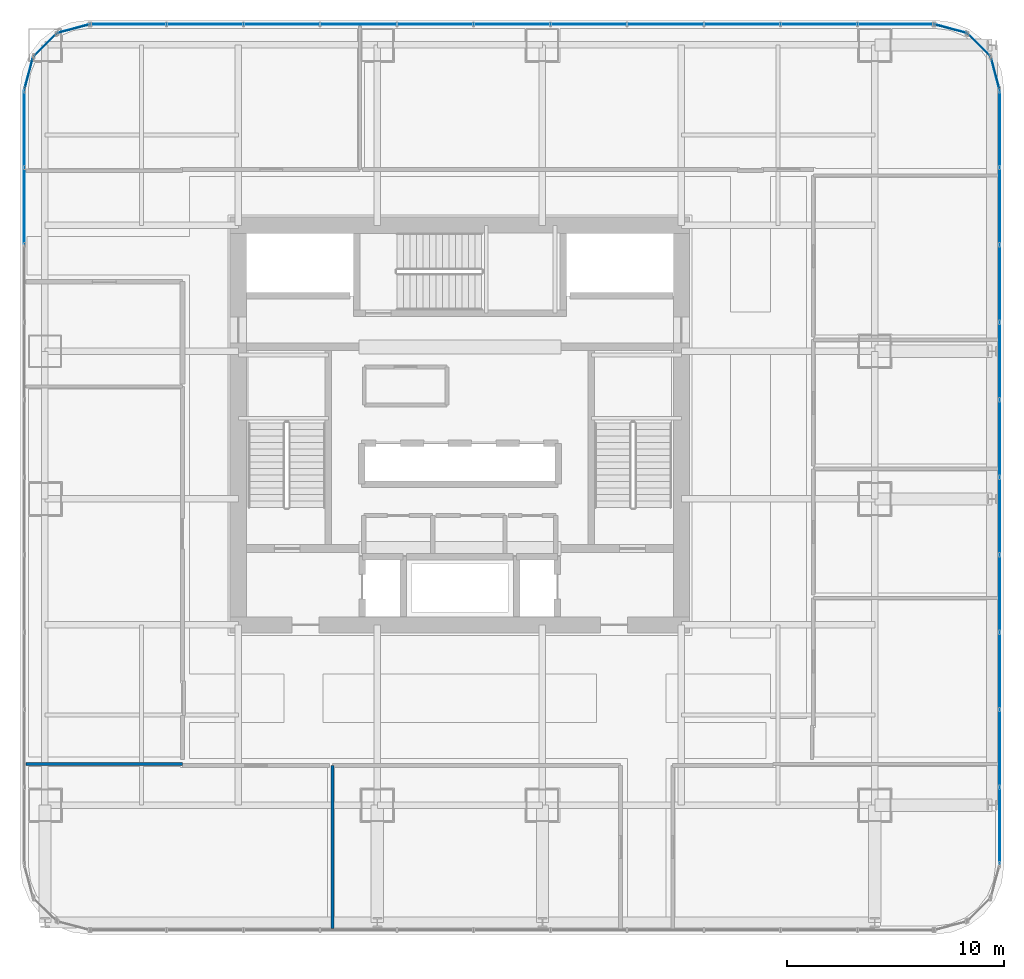
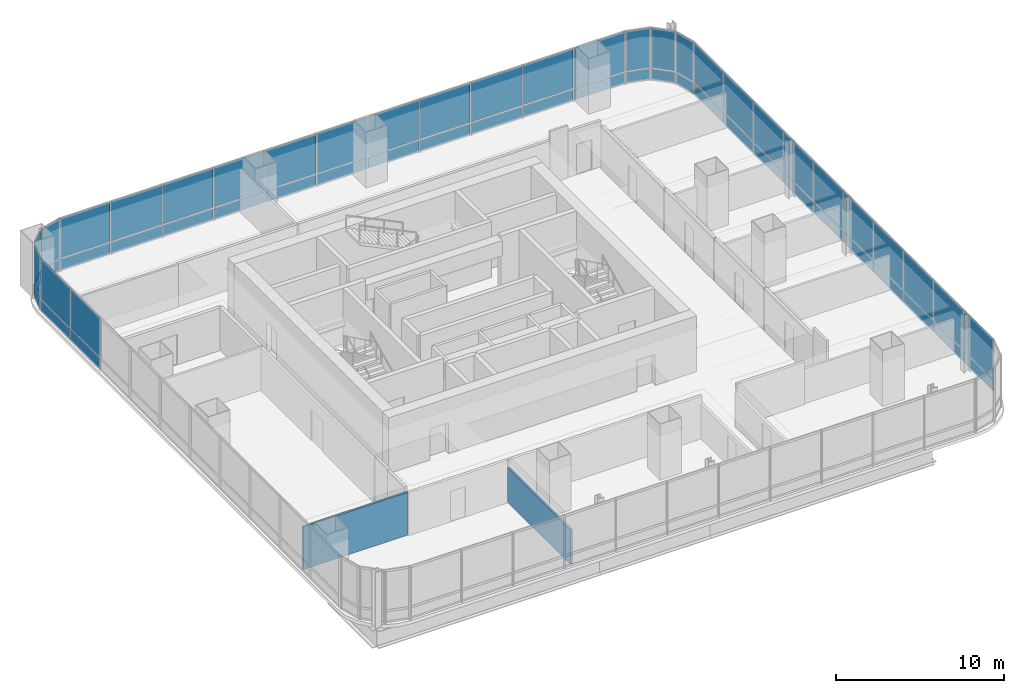
# One storey, part 26 of 34: 58 plates, 2 walls, 9 elements without a shape of their own.
"""IFC4 building model written with IfcOpenShell, lengths in metres."""

from ifc_helpers import new_model, si_unit, direction, frame, frame_2d, origin, origin_2d, place, context, subcontext, project, spatial, rectangle, extrude, material, layer, layer_set, type_object, element, aggregate, save


model = new_model("IFC4")

# Units and contexts
model_context = context("Model", 3, precision=1e-05, world=origin(), true_north=direction((0.0, 1.0)))
body_context = subcontext(model_context, "Body", "Model", "MODEL_VIEW")
ifc_project = project(units=[si_unit("LENGTHUNIT", "METRE"), si_unit("AREAUNIT", "SQUARE_METRE"), si_unit("VOLUMEUNIT", "CUBIC_METRE"), si_unit("PLANEANGLEUNIT", "RADIAN"), si_unit("MASSUNIT", "GRAM", prefix="KILO")], contexts=[model_context])

# Site, building, storey
site_placement = place(None, origin())
site = spatial("IfcSite", under=ifc_project, at=site_placement, CompositionType="ELEMENT")
building_placement = place(site_placement, origin())
building = spatial("IfcBuilding", under=site, at=building_placement, Name="Punatoya Terracotta Tower", CompositionType="ELEMENT")
storey_placement = place(building_placement, frame((0.0, 0.0, 84.89990234375)))
storey = spatial("IfcBuildingStorey", under=building, at=storey_placement, Name="L19", CompositionType="ELEMENT", Elevation=84.89990234375)

# Curtain wall, plates
ifc_material_1 = material(Name="Aluminium 6063-T6 + Double Low-E Glass", Category="aluminium")
curtain_wall_type = type_object("IfcCurtainWallType", Name="CW-M1", PredefinedType="NOTDEFINED", material=ifc_material_1)
curtain_wall_1_placement = place(storey_placement, origin())
curtain_wall_1 = element("IfcCurtainWall", 1, at=curtain_wall_1_placement, inside=storey, type_object=curtain_wall_type, Name="L19 Curtain Wall CW-L19-E05-1", PredefinedType="NOTDEFINED")
ifc_material_2 = material(Name="Double Low-E Clear Vision Glass", Category="glass")
ifc_layer_1 = layer(ifc_material_2, 0.028076171875)
ifc_layer_set_1 = layer_set([ifc_layer_1], Name="Double Low-E Clear Vision Glass")
plate_type_1 = type_object("IfcPlateType", Name="PLT-GLZ-28", PredefinedType="CURTAIN_PANEL", material=ifc_layer_set_1)
plate_1_placement = place(storey_placement, frame((24.85009765625, -18.453125, 0.89013671875), z_axis=(0.0, 0.0, 1.0), x_axis=(0.0, 1.0, 0.0)))
plate_1 = element("IfcPlate", 2, at=plate_1_placement, type_object=plate_type_1, Name="CW-L19-E05-1 Vision Glass Panel 1", PredefinedType="CURTAIN_PANEL", context=body_context, shape_type="SweptSolid", body=[
    extrude(rectangle(XDim=3.482421875, YDim=0.028076171875, at=origin_2d()), origin(), (0.0, 0.0, 1.0), 2.8798828125),
])
plate_2_placement = place(storey_placement, frame((24.85009765625, -14.8857421875, 0.89013671875), z_axis=(0.0, 0.0, 1.0), x_axis=(0.0, 1.0, 0.0)))
plate_2 = element("IfcPlate", 3, at=plate_2_placement, type_object=plate_type_1, Name="CW-L19-E05-1 Vision Glass Panel 2", PredefinedType="CURTAIN_PANEL", context=body_context, shape_type="SweptSolid", body=[
    extrude(rectangle(XDim=3.482421875, YDim=0.028076171875, at=origin_2d()), origin(), (0.0, 0.0, 1.0), 2.8798828125),
])
plate_3_placement = place(storey_placement, frame((24.85009765625, -11.318359375, 0.89013671875), z_axis=(0.0, 0.0, 1.0), x_axis=(0.0, 1.0, 0.0)))
plate_3 = element("IfcPlate", 4, at=plate_3_placement, type_object=plate_type_1, Name="CW-L19-E05-1 Vision Glass Panel 3", PredefinedType="CURTAIN_PANEL", context=body_context, shape_type="SweptSolid", body=[
    extrude(rectangle(XDim=3.482421875, YDim=0.028076171875, at=origin_2d()), origin(), (0.0, 0.0, 1.0), 2.8798828125),
])
plate_4_placement = place(storey_placement, frame((24.85009765625, -7.751220703125, 0.89013671875), z_axis=(0.0, 0.0, 1.0), x_axis=(0.0, 1.0, 0.0)))
plate_4 = element("IfcPlate", 5, at=plate_4_placement, type_object=plate_type_1, Name="CW-L19-E05-1 Vision Glass Panel 4", PredefinedType="CURTAIN_PANEL", context=body_context, shape_type="SweptSolid", body=[
    extrude(rectangle(XDim=3.482421875, YDim=0.028076171875, at=origin_2d()), origin(), (0.0, 0.0, 1.0), 2.8798828125),
])
plate_5_placement = place(storey_placement, frame((24.85009765625, -4.18359375, 0.89013671875), z_axis=(0.0, 0.0, 1.0), x_axis=(0.0, 1.0, 0.0)))
plate_5 = element("IfcPlate", 6, at=plate_5_placement, type_object=plate_type_1, Name="CW-L19-E05-1 Vision Glass Panel 5", PredefinedType="CURTAIN_PANEL", context=body_context, shape_type="SweptSolid", body=[
    extrude(rectangle(XDim=3.482421875, YDim=0.028076171875, at=origin_2d()), origin(), (0.0, 0.0, 1.0), 2.8798828125),
])
plate_6_placement = place(storey_placement, frame((24.85009765625, -0.6162109375, 0.89013671875), z_axis=(0.0, 0.0, 1.0), x_axis=(0.0, 1.0, 0.0)))
plate_6 = element("IfcPlate", 7, at=plate_6_placement, type_object=plate_type_1, Name="CW-L19-E05-1 Vision Glass Panel 6", PredefinedType="CURTAIN_PANEL", context=body_context, shape_type="SweptSolid", body=[
    extrude(rectangle(XDim=3.482421875, YDim=0.028076171875, at=origin_2d()), origin(), (0.0, 0.0, 1.0), 2.8798828125),
])
plate_7_placement = place(storey_placement, frame((24.85009765625, 2.951171875, 0.89013671875), z_axis=(0.0, 0.0, 1.0), x_axis=(0.0, 1.0, 0.0)))
plate_7 = element("IfcPlate", 8, at=plate_7_placement, type_object=plate_type_1, Name="CW-L19-E05-1 Vision Glass Panel 7", PredefinedType="CURTAIN_PANEL", context=body_context, shape_type="SweptSolid", body=[
    extrude(rectangle(XDim=3.482421875, YDim=0.028076171875, at=origin_2d()), origin(), (0.0, 0.0, 1.0), 2.8798828125),
])
plate_8_placement = place(storey_placement, frame((24.85009765625, 6.518310546875, 0.89013671875), z_axis=(0.0, 0.0, 1.0), x_axis=(0.0, 1.0, 0.0)))
plate_8 = element("IfcPlate", 9, at=plate_8_placement, type_object=plate_type_1, Name="CW-L19-E05-1 Vision Glass Panel 8", PredefinedType="CURTAIN_PANEL", context=body_context, shape_type="SweptSolid", body=[
    extrude(rectangle(XDim=3.482421875, YDim=0.028076171875, at=origin_2d()), origin(), (0.0, 0.0, 1.0), 2.8798828125),
])
plate_9_placement = place(storey_placement, frame((24.85009765625, 10.085693359375, 0.89013671875), z_axis=(0.0, 0.0, 1.0), x_axis=(0.0, 1.0, 0.0)))
plate_9 = element("IfcPlate", 10, at=plate_9_placement, type_object=plate_type_1, Name="CW-L19-E05-1 Vision Glass Panel 9", PredefinedType="CURTAIN_PANEL", context=body_context, shape_type="SweptSolid", body=[
    extrude(rectangle(XDim=3.482421875, YDim=0.028076171875, at=origin_2d()), origin(), (0.0, 0.0, 1.0), 2.8798828125),
])
plate_10_placement = place(storey_placement, frame((24.85009765625, 13.6533203125, 0.89013671875), z_axis=(0.0, 0.0, 1.0), x_axis=(0.0, 1.0, 0.0)))
plate_10 = element("IfcPlate", 11, at=plate_10_placement, type_object=plate_type_1, Name="CW-L19-E05-1 Vision Glass Panel 10", PredefinedType="CURTAIN_PANEL", context=body_context, shape_type="SweptSolid", body=[
    extrude(rectangle(XDim=3.482421875, YDim=0.028076171875, at=origin_2d()), origin(), (0.0, 0.0, 1.0), 2.8798828125),
])

# Curtain wall, plate
curtain_wall_2_placement = place(storey_placement, origin())
curtain_wall_2 = element("IfcCurtainWall", 12, at=curtain_wall_2_placement, inside=storey, type_object=curtain_wall_type, Name="L19 Curtain Wall CW-L19-CRN06", PredefinedType="NOTDEFINED")
plate_11_placement = place(storey_placement, frame((24.648193359375, 16.193115234375, 0.89013671875), z_axis=(0.0, 0.0, 1.0), x_axis=(-0.257741620719, 0.966213877436, 0.0)))
plate_11 = element("IfcPlate", 13, at=plate_11_placement, type_object=plate_type_1, Name="CW-L19-CRN06 Vision Glass Panel 1", PredefinedType="CURTAIN_PANEL", context=body_context, shape_type="SweptSolid", body=[
    extrude(rectangle(XDim=1.47998046875, YDim=0.028076171875, at=origin_2d()), origin(), (0.0, 0.0, 1.0), 2.8798828125),
])

curtain_wall_3_placement = place(storey_placement, origin())
curtain_wall_3 = element("IfcCurtainWall", 14, at=curtain_wall_3_placement, inside=storey, type_object=curtain_wall_type, Name="L19 Curtain Wall CW-L19-CRN07", PredefinedType="NOTDEFINED")
plate_12_placement = place(storey_placement, frame((23.89794921875, 17.497802734375, 0.89013671875), z_axis=(0.0, 0.0, 1.0), x_axis=(-0.707106781187, 0.707106781187, 0.0)))
plate_12 = element("IfcPlate", 15, at=plate_12_placement, type_object=plate_type_1, Name="CW-L19-CRN07 Vision Glass Panel 1", PredefinedType="CURTAIN_PANEL", context=body_context, shape_type="SweptSolid", body=[
    extrude(rectangle(XDim=1.467041015625, YDim=0.028076171875, at=origin_2d()), origin(), (0.0, 0.0, 1.0), 2.8798828125),
])

curtain_wall_4_placement = place(storey_placement, origin())
curtain_wall_4 = element("IfcCurtainWall", 16, at=curtain_wall_4_placement, inside=storey, type_object=curtain_wall_type, Name="L19 Curtain Wall CW-L19-CRN08", PredefinedType="NOTDEFINED")
plate_13_placement = place(storey_placement, frame((22.593017578125, 18.248291015625, 0.89013671875), z_axis=(0.0, 0.0, 1.0), x_axis=(-0.966213877436, 0.257741620719, 0.0)))
plate_13 = element("IfcPlate", 17, at=plate_13_placement, type_object=plate_type_1, Name="CW-L19-CRN08 Vision Glass Panel 1", PredefinedType="CURTAIN_PANEL", context=body_context, shape_type="SweptSolid", body=[
    extrude(rectangle(XDim=1.47998046875, YDim=0.028076171875, at=origin_2d()), origin(), (0.0, 0.0, 1.0), 2.8798828125),
])

# Curtain wall, plates
curtain_wall_5_placement = place(storey_placement, origin())
curtain_wall_5 = element("IfcCurtainWall", 18, at=curtain_wall_5_placement, inside=storey, type_object=curtain_wall_type, Name="L19 Curtain Wall CW-L19-N09-1", PredefinedType="NOTDEFINED")
plate_14_placement = place(storey_placement, frame((20.06982421875, 18.449951171875, 0.89013671875), z_axis=(0.0, 0.0, 1.0), x_axis=(-1.0, 0.0, 0.0)))
plate_14 = element("IfcPlate", 19, at=plate_14_placement, type_object=plate_type_1, Name="CW-L19-N09-1 Vision Glass Panel 1", PredefinedType="CURTAIN_PANEL", context=body_context, shape_type="SweptSolid", body=[
    extrude(rectangle(XDim=3.448974609375, YDim=0.028076171875, at=origin_2d()), origin(), (0.0, 0.0, 1.0), 2.8798828125),
])
plate_15_placement = place(storey_placement, frame((16.535888671875, 18.449951171875, 0.89013671875), z_axis=(0.0, 0.0, 1.0), x_axis=(-1.0, 0.0, 0.0)))
plate_15 = element("IfcPlate", 20, at=plate_15_placement, type_object=plate_type_1, Name="CW-L19-N09-1 Vision Glass Panel 2", PredefinedType="CURTAIN_PANEL", context=body_context, shape_type="SweptSolid", body=[
    extrude(rectangle(XDim=3.448974609375, YDim=0.028076171875, at=origin_2d()), origin(), (0.0, 0.0, 1.0), 2.8798828125),
])
plate_16_placement = place(storey_placement, frame((13.001953125, 18.449951171875, 0.89013671875), z_axis=(0.0, 0.0, 1.0), x_axis=(-1.0, 0.0, 0.0)))
plate_16 = element("IfcPlate", 21, at=plate_16_placement, type_object=plate_type_1, Name="CW-L19-N09-1 Vision Glass Panel 3", PredefinedType="CURTAIN_PANEL", context=body_context, shape_type="SweptSolid", body=[
    extrude(rectangle(XDim=3.448974609375, YDim=0.028076171875, at=origin_2d()), origin(), (0.0, 0.0, 1.0), 2.8798828125),
])
plate_17_placement = place(storey_placement, frame((9.468017578125, 18.449951171875, 0.89013671875), z_axis=(0.0, 0.0, 1.0), x_axis=(-1.0, 0.0, 0.0)))
plate_17 = element("IfcPlate", 22, at=plate_17_placement, type_object=plate_type_1, Name="CW-L19-N09-1 Vision Glass Panel 4", PredefinedType="CURTAIN_PANEL", context=body_context, shape_type="SweptSolid", body=[
    extrude(rectangle(XDim=3.448974609375, YDim=0.028076171875, at=origin_2d()), origin(), (0.0, 0.0, 1.0), 2.8798828125),
])
plate_18_placement = place(storey_placement, frame((5.93408203125, 18.449951171875, 0.89013671875), z_axis=(0.0, 0.0, 1.0), x_axis=(-1.0, 0.0, 0.0)))
plate_18 = element("IfcPlate", 23, at=plate_18_placement, type_object=plate_type_1, Name="CW-L19-N09-1 Vision Glass Panel 5", PredefinedType="CURTAIN_PANEL", context=body_context, shape_type="SweptSolid", body=[
    extrude(rectangle(XDim=3.448974609375, YDim=0.028076171875, at=origin_2d()), origin(), (0.0, 0.0, 1.0), 2.8798828125),
])
plate_19_placement = place(storey_placement, frame((2.39990234375, 18.449951171875, 0.89013671875), z_axis=(0.0, 0.0, 1.0), x_axis=(-1.0, 0.0, 0.0)))
plate_19 = element("IfcPlate", 24, at=plate_19_placement, type_object=plate_type_1, Name="CW-L19-N09-1 Vision Glass Panel 6", PredefinedType="CURTAIN_PANEL", context=body_context, shape_type="SweptSolid", body=[
    extrude(rectangle(XDim=3.448974609375, YDim=0.028076171875, at=origin_2d()), origin(), (0.0, 0.0, 1.0), 2.8798828125),
])
plate_20_placement = place(storey_placement, frame((-1.134033203125, 18.449951171875, 0.89013671875), z_axis=(0.0, 0.0, 1.0), x_axis=(-1.0, 0.0, 0.0)))
plate_20 = element("IfcPlate", 25, at=plate_20_placement, type_object=plate_type_1, Name="CW-L19-N09-1 Vision Glass Panel 7", PredefinedType="CURTAIN_PANEL", context=body_context, shape_type="SweptSolid", body=[
    extrude(rectangle(XDim=3.448974609375, YDim=0.028076171875, at=origin_2d()), origin(), (0.0, 0.0, 1.0), 2.8798828125),
])
plate_21_placement = place(storey_placement, frame((-4.66796875, 18.449951171875, 0.89013671875), z_axis=(0.0, 0.0, 1.0), x_axis=(-1.0, 0.0, 0.0)))
plate_21 = element("IfcPlate", 26, at=plate_21_placement, type_object=plate_type_1, Name="CW-L19-N09-1 Vision Glass Panel 8", PredefinedType="CURTAIN_PANEL", context=body_context, shape_type="SweptSolid", body=[
    extrude(rectangle(XDim=3.448974609375, YDim=0.028076171875, at=origin_2d()), origin(), (0.0, 0.0, 1.0), 2.8798828125),
])
plate_22_placement = place(storey_placement, frame((-8.201904296875, 18.449951171875, 0.89013671875), z_axis=(0.0, 0.0, 1.0), x_axis=(-1.0, 0.0, 0.0)))
plate_22 = element("IfcPlate", 27, at=plate_22_placement, type_object=plate_type_1, Name="CW-L19-N09-1 Vision Glass Panel 9", PredefinedType="CURTAIN_PANEL", context=body_context, shape_type="SweptSolid", body=[
    extrude(rectangle(XDim=3.448974609375, YDim=0.028076171875, at=origin_2d()), origin(), (0.0, 0.0, 1.0), 2.8798828125),
])
plate_23_placement = place(storey_placement, frame((-11.73583984375, 18.449951171875, 0.89013671875), z_axis=(0.0, 0.0, 1.0), x_axis=(-1.0, 0.0, 0.0)))
plate_23 = element("IfcPlate", 28, at=plate_23_placement, type_object=plate_type_1, Name="CW-L19-N09-1 Vision Glass Panel 10", PredefinedType="CURTAIN_PANEL", context=body_context, shape_type="SweptSolid", body=[
    extrude(rectangle(XDim=3.448974609375, YDim=0.028076171875, at=origin_2d()), origin(), (0.0, 0.0, 1.0), 2.8798828125),
])
plate_24_placement = place(storey_placement, frame((-15.27001953125, 18.449951171875, 0.89013671875), z_axis=(0.0, 0.0, 1.0), x_axis=(-1.0, 0.0, 0.0)))
plate_24 = element("IfcPlate", 29, at=plate_24_placement, type_object=plate_type_1, Name="CW-L19-N09-1 Vision Glass Panel 11", PredefinedType="CURTAIN_PANEL", context=body_context, shape_type="SweptSolid", body=[
    extrude(rectangle(XDim=3.448974609375, YDim=0.028076171875, at=origin_2d()), origin(), (0.0, 0.0, 1.0), 2.8798828125),
])

# Curtain wall, plate
curtain_wall_6_placement = place(storey_placement, origin())
curtain_wall_6 = element("IfcCurtainWall", 30, at=curtain_wall_6_placement, inside=storey, type_object=curtain_wall_type, Name="L19 Curtain Wall CW-L19-CRN10", PredefinedType="NOTDEFINED")
plate_25_placement = place(storey_placement, frame((-17.79296875, 18.248291015625, 0.89013671875), z_axis=(0.0, 0.0, 1.0), x_axis=(-0.966213877436, -0.257741620719, 0.0)))
plate_25 = element("IfcPlate", 31, at=plate_25_placement, type_object=plate_type_1, Name="CW-L19-CRN10 Vision Glass Panel 1", PredefinedType="CURTAIN_PANEL", context=body_context, shape_type="SweptSolid", body=[
    extrude(rectangle(XDim=1.47998046875, YDim=0.028076171875, at=origin_2d()), origin(), (0.0, 0.0, 1.0), 2.8798828125),
])

curtain_wall_7_placement = place(storey_placement, origin())
curtain_wall_7 = element("IfcCurtainWall", 32, at=curtain_wall_7_placement, inside=storey, type_object=curtain_wall_type, Name="L19 Curtain Wall CW-L19-CRN11", PredefinedType="NOTDEFINED")
plate_26_placement = place(storey_placement, frame((-19.097900390625, 17.497802734375, 0.89013671875), z_axis=(0.0, 0.0, 1.0), x_axis=(-0.707106781187, -0.707106781187, 0.0)))
plate_26 = element("IfcPlate", 33, at=plate_26_placement, type_object=plate_type_1, Name="CW-L19-CRN11 Vision Glass Panel 1", PredefinedType="CURTAIN_PANEL", context=body_context, shape_type="SweptSolid", body=[
    extrude(rectangle(XDim=1.467041015625, YDim=0.028076171875, at=origin_2d()), origin(), (0.0, 0.0, 1.0), 2.8798828125),
])

curtain_wall_8_placement = place(storey_placement, origin())
curtain_wall_8 = element("IfcCurtainWall", 34, at=curtain_wall_8_placement, inside=storey, type_object=curtain_wall_type, Name="L19 Curtain Wall CW-L19-CRN12", PredefinedType="NOTDEFINED")
plate_27_placement = place(storey_placement, frame((-19.848388671875, 16.193115234375, 0.89013671875), z_axis=(0.0, 0.0, 1.0), x_axis=(-0.257741620719, -0.966213877436, 0.0)))
plate_27 = element("IfcPlate", 35, at=plate_27_placement, type_object=plate_type_1, Name="CW-L19-CRN12 Vision Glass Panel 1", PredefinedType="CURTAIN_PANEL", context=body_context, shape_type="SweptSolid", body=[
    extrude(rectangle(XDim=1.47998046875, YDim=0.028076171875, at=origin_2d()), origin(), (0.0, 0.0, 1.0), 2.8798828125),
])

# Curtain wall, plates
curtain_wall_9_placement = place(storey_placement, origin())
curtain_wall_9 = element("IfcCurtainWall", 36, at=curtain_wall_9_placement, inside=storey, type_object=curtain_wall_type, Name="L19 Curtain Wall CW-L19-W13-1", PredefinedType="NOTDEFINED")
plate_28_placement = place(storey_placement, frame((-20.050048828125, 13.6533203125, 0.89013671875), z_axis=(0.0, 0.0, 1.0), x_axis=(0.0, -1.0, 0.0)))
plate_28 = element("IfcPlate", 37, at=plate_28_placement, type_object=plate_type_1, Name="CW-L19-W13-1 Vision Glass Panel 1", PredefinedType="CURTAIN_PANEL", context=body_context, shape_type="SweptSolid", body=[
    extrude(rectangle(XDim=3.482421875, YDim=0.028076171875, at=origin_2d()), origin(), (0.0, 0.0, 1.0), 2.8798828125),
])
plate_29_placement = place(storey_placement, frame((-20.050048828125, 10.085693359375, 0.89013671875), z_axis=(0.0, 0.0, 1.0), x_axis=(0.0, -1.0, 0.0)))
plate_29 = element("IfcPlate", 38, at=plate_29_placement, type_object=plate_type_1, Name="CW-L19-W13-1 Vision Glass Panel 2", PredefinedType="CURTAIN_PANEL", context=body_context, shape_type="SweptSolid", body=[
    extrude(rectangle(XDim=3.482421875, YDim=0.028076171875, at=origin_2d()), origin(), (0.0, 0.0, 1.0), 2.8798828125),
])

# Plate
ifc_material_3 = material(Name="Insulated Terracotta-Backed Spandrel Panel", Category="masonry")
ifc_layer_2 = layer(ifc_material_3, 0.044921875)
ifc_layer_set_2 = layer_set([ifc_layer_2], Name="Insulated Terracotta-Backed Spandrel Panel")
plate_type_2 = type_object("IfcPlateType", Name="PLT-SPN-45", PredefinedType="CURTAIN_PANEL", material=ifc_layer_set_2)
plate_30_placement = place(storey_placement, frame((24.85009765625, -18.453125, 0.0400390625), z_axis=(0.0, 0.0, 1.0), x_axis=(0.0, 1.0, 0.0)))
plate_30 = element("IfcPlate", 39, at=plate_30_placement, type_object=plate_type_2, Name="CW-L19-E05-1 Terracotta Spandrel Panel 1", PredefinedType="CURTAIN_PANEL", context=body_context, shape_type="SweptSolid", body=[
    extrude(rectangle(XDim=3.482421875, YDim=0.044921875, at=origin_2d()), origin(), (0.0, 0.0, 1.0), 0.77490234375),
])

plate_31_placement = place(storey_placement, frame((24.85009765625, -14.8857421875, 0.0400390625), z_axis=(0.0, 0.0, 1.0), x_axis=(0.0, 1.0, 0.0)))
plate_31 = element("IfcPlate", 40, at=plate_31_placement, type_object=plate_type_2, Name="CW-L19-E05-1 Terracotta Spandrel Panel 2", PredefinedType="CURTAIN_PANEL", context=body_context, shape_type="SweptSolid", body=[
    extrude(rectangle(XDim=3.482421875, YDim=0.044921875, at=origin_2d()), origin(), (0.0, 0.0, 1.0), 0.77490234375),
])

plate_32_placement = place(storey_placement, frame((24.85009765625, -11.318359375, 0.0400390625), z_axis=(0.0, 0.0, 1.0), x_axis=(0.0, 1.0, 0.0)))
plate_32 = element("IfcPlate", 41, at=plate_32_placement, type_object=plate_type_2, Name="CW-L19-E05-1 Terracotta Spandrel Panel 3", PredefinedType="CURTAIN_PANEL", context=body_context, shape_type="SweptSolid", body=[
    extrude(rectangle(XDim=3.482421875, YDim=0.044921875, at=origin_2d()), origin(), (0.0, 0.0, 1.0), 0.77490234375),
])

plate_33_placement = place(storey_placement, frame((24.85009765625, -7.751220703125, 0.0400390625), z_axis=(0.0, 0.0, 1.0), x_axis=(0.0, 1.0, 0.0)))
plate_33 = element("IfcPlate", 42, at=plate_33_placement, type_object=plate_type_2, Name="CW-L19-E05-1 Terracotta Spandrel Panel 4", PredefinedType="CURTAIN_PANEL", context=body_context, shape_type="SweptSolid", body=[
    extrude(rectangle(XDim=3.482421875, YDim=0.044921875, at=origin_2d()), origin(), (0.0, 0.0, 1.0), 0.77490234375),
])

plate_34_placement = place(storey_placement, frame((24.85009765625, -4.18359375, 0.0400390625), z_axis=(0.0, 0.0, 1.0), x_axis=(0.0, 1.0, 0.0)))
plate_34 = element("IfcPlate", 43, at=plate_34_placement, type_object=plate_type_2, Name="CW-L19-E05-1 Terracotta Spandrel Panel 5", PredefinedType="CURTAIN_PANEL", context=body_context, shape_type="SweptSolid", body=[
    extrude(rectangle(XDim=3.482421875, YDim=0.044921875, at=origin_2d()), origin(), (0.0, 0.0, 1.0), 0.77490234375),
])

plate_35_placement = place(storey_placement, frame((24.85009765625, -0.6162109375, 0.0400390625), z_axis=(0.0, 0.0, 1.0), x_axis=(0.0, 1.0, 0.0)))
plate_35 = element("IfcPlate", 44, at=plate_35_placement, type_object=plate_type_2, Name="CW-L19-E05-1 Terracotta Spandrel Panel 6", PredefinedType="CURTAIN_PANEL", context=body_context, shape_type="SweptSolid", body=[
    extrude(rectangle(XDim=3.482421875, YDim=0.044921875, at=origin_2d()), origin(), (0.0, 0.0, 1.0), 0.77490234375),
])

plate_36_placement = place(storey_placement, frame((24.85009765625, 2.951171875, 0.0400390625), z_axis=(0.0, 0.0, 1.0), x_axis=(0.0, 1.0, 0.0)))
plate_36 = element("IfcPlate", 45, at=plate_36_placement, type_object=plate_type_2, Name="CW-L19-E05-1 Terracotta Spandrel Panel 7", PredefinedType="CURTAIN_PANEL", context=body_context, shape_type="SweptSolid", body=[
    extrude(rectangle(XDim=3.482421875, YDim=0.044921875, at=origin_2d()), origin(), (0.0, 0.0, 1.0), 0.77490234375),
])

plate_37_placement = place(storey_placement, frame((24.85009765625, 6.518310546875, 0.0400390625), z_axis=(0.0, 0.0, 1.0), x_axis=(0.0, 1.0, 0.0)))
plate_37 = element("IfcPlate", 46, at=plate_37_placement, type_object=plate_type_2, Name="CW-L19-E05-1 Terracotta Spandrel Panel 8", PredefinedType="CURTAIN_PANEL", context=body_context, shape_type="SweptSolid", body=[
    extrude(rectangle(XDim=3.482421875, YDim=0.044921875, at=origin_2d()), origin(), (0.0, 0.0, 1.0), 0.77490234375),
])

plate_38_placement = place(storey_placement, frame((24.85009765625, 10.085693359375, 0.0400390625), z_axis=(0.0, 0.0, 1.0), x_axis=(0.0, 1.0, 0.0)))
plate_38 = element("IfcPlate", 47, at=plate_38_placement, type_object=plate_type_2, Name="CW-L19-E05-1 Terracotta Spandrel Panel 9", PredefinedType="CURTAIN_PANEL", context=body_context, shape_type="SweptSolid", body=[
    extrude(rectangle(XDim=3.482421875, YDim=0.044921875, at=origin_2d()), origin(), (0.0, 0.0, 1.0), 0.77490234375),
])

plate_39_placement = place(storey_placement, frame((24.85009765625, 13.6533203125, 0.0400390625), z_axis=(0.0, 0.0, 1.0), x_axis=(0.0, 1.0, 0.0)))
plate_39 = element("IfcPlate", 48, at=plate_39_placement, type_object=plate_type_2, Name="CW-L19-E05-1 Terracotta Spandrel Panel 10", PredefinedType="CURTAIN_PANEL", context=body_context, shape_type="SweptSolid", body=[
    extrude(rectangle(XDim=3.482421875, YDim=0.044921875, at=origin_2d()), origin(), (0.0, 0.0, 1.0), 0.77490234375),
])

aggregate(curtain_wall_1, [plate_30, plate_1, plate_31, plate_2, plate_32, plate_3, plate_33, plate_4, plate_34, plate_5, plate_35, plate_6, plate_36, plate_7, plate_37, plate_8, plate_38, plate_9, plate_39, plate_10])

plate_40_placement = place(storey_placement, frame((24.648193359375, 16.193115234375, 0.0400390625), z_axis=(0.0, 0.0, 1.0), x_axis=(-0.257741620719, 0.966213877436, 0.0)))
plate_40 = element("IfcPlate", 49, at=plate_40_placement, type_object=plate_type_2, Name="CW-L19-CRN06 Terracotta Spandrel Panel 1", PredefinedType="CURTAIN_PANEL", context=body_context, shape_type="SweptSolid", body=[
    extrude(rectangle(XDim=1.47998046875, YDim=0.044921875, at=origin_2d()), origin(), (0.0, 0.0, 1.0), 0.77490234375),
])

aggregate(curtain_wall_2, [plate_40, plate_11])

plate_41_placement = place(storey_placement, frame((23.89794921875, 17.497802734375, 0.0400390625), z_axis=(0.0, 0.0, 1.0), x_axis=(-0.707106781187, 0.707106781187, 0.0)))
plate_41 = element("IfcPlate", 50, at=plate_41_placement, type_object=plate_type_2, Name="CW-L19-CRN07 Terracotta Spandrel Panel 1", PredefinedType="CURTAIN_PANEL", context=body_context, shape_type="SweptSolid", body=[
    extrude(rectangle(XDim=1.467041015625, YDim=0.044921875, at=origin_2d()), origin(), (0.0, 0.0, 1.0), 0.77490234375),
])

aggregate(curtain_wall_3, [plate_41, plate_12])

plate_42_placement = place(storey_placement, frame((22.593017578125, 18.248291015625, 0.0400390625), z_axis=(0.0, 0.0, 1.0), x_axis=(-0.966213877436, 0.257741620719, 0.0)))
plate_42 = element("IfcPlate", 51, at=plate_42_placement, type_object=plate_type_2, Name="CW-L19-CRN08 Terracotta Spandrel Panel 1", PredefinedType="CURTAIN_PANEL", context=body_context, shape_type="SweptSolid", body=[
    extrude(rectangle(XDim=1.47998046875, YDim=0.044921875, at=origin_2d()), origin(), (0.0, 0.0, 1.0), 0.77490234375),
])

aggregate(curtain_wall_4, [plate_42, plate_13])

plate_43_placement = place(storey_placement, frame((20.06982421875, 18.449951171875, 0.0400390625), z_axis=(0.0, 0.0, 1.0), x_axis=(-1.0, 0.0, 0.0)))
plate_43 = element("IfcPlate", 52, at=plate_43_placement, type_object=plate_type_2, Name="CW-L19-N09-1 Terracotta Spandrel Panel 1", PredefinedType="CURTAIN_PANEL", context=body_context, shape_type="SweptSolid", body=[
    extrude(rectangle(XDim=3.448974609375, YDim=0.044921875, at=origin_2d()), origin(), (0.0, 0.0, 1.0), 0.77490234375),
])

plate_44_placement = place(storey_placement, frame((16.535888671875, 18.449951171875, 0.0400390625), z_axis=(0.0, 0.0, 1.0), x_axis=(-1.0, 0.0, 0.0)))
plate_44 = element("IfcPlate", 53, at=plate_44_placement, type_object=plate_type_2, Name="CW-L19-N09-1 Terracotta Spandrel Panel 2", PredefinedType="CURTAIN_PANEL", context=body_context, shape_type="SweptSolid", body=[
    extrude(rectangle(XDim=3.448974609375, YDim=0.044921875, at=origin_2d()), origin(), (0.0, 0.0, 1.0), 0.77490234375),
])

plate_45_placement = place(storey_placement, frame((13.001953125, 18.449951171875, 0.0400390625), z_axis=(0.0, 0.0, 1.0), x_axis=(-1.0, 0.0, 0.0)))
plate_45 = element("IfcPlate", 54, at=plate_45_placement, type_object=plate_type_2, Name="CW-L19-N09-1 Terracotta Spandrel Panel 3", PredefinedType="CURTAIN_PANEL", context=body_context, shape_type="SweptSolid", body=[
    extrude(rectangle(XDim=3.448974609375, YDim=0.044921875, at=origin_2d()), origin(), (0.0, 0.0, 1.0), 0.77490234375),
])

plate_46_placement = place(storey_placement, frame((9.468017578125, 18.449951171875, 0.0400390625), z_axis=(0.0, 0.0, 1.0), x_axis=(-1.0, 0.0, 0.0)))
plate_46 = element("IfcPlate", 55, at=plate_46_placement, type_object=plate_type_2, Name="CW-L19-N09-1 Terracotta Spandrel Panel 4", PredefinedType="CURTAIN_PANEL", context=body_context, shape_type="SweptSolid", body=[
    extrude(rectangle(XDim=3.448974609375, YDim=0.044921875, at=origin_2d()), origin(), (0.0, 0.0, 1.0), 0.77490234375),
])

plate_47_placement = place(storey_placement, frame((5.93408203125, 18.449951171875, 0.0400390625), z_axis=(0.0, 0.0, 1.0), x_axis=(-1.0, 0.0, 0.0)))
plate_47 = element("IfcPlate", 56, at=plate_47_placement, type_object=plate_type_2, Name="CW-L19-N09-1 Terracotta Spandrel Panel 5", PredefinedType="CURTAIN_PANEL", context=body_context, shape_type="SweptSolid", body=[
    extrude(rectangle(XDim=3.448974609375, YDim=0.044921875, at=origin_2d()), origin(), (0.0, 0.0, 1.0), 0.77490234375),
])

plate_48_placement = place(storey_placement, frame((2.39990234375, 18.449951171875, 0.0400390625), z_axis=(0.0, 0.0, 1.0), x_axis=(-1.0, 0.0, 0.0)))
plate_48 = element("IfcPlate", 57, at=plate_48_placement, type_object=plate_type_2, Name="CW-L19-N09-1 Terracotta Spandrel Panel 6", PredefinedType="CURTAIN_PANEL", context=body_context, shape_type="SweptSolid", body=[
    extrude(rectangle(XDim=3.448974609375, YDim=0.044921875, at=origin_2d()), origin(), (0.0, 0.0, 1.0), 0.77490234375),
])

plate_49_placement = place(storey_placement, frame((-1.134033203125, 18.449951171875, 0.0400390625), z_axis=(0.0, 0.0, 1.0), x_axis=(-1.0, 0.0, 0.0)))
plate_49 = element("IfcPlate", 58, at=plate_49_placement, type_object=plate_type_2, Name="CW-L19-N09-1 Terracotta Spandrel Panel 7", PredefinedType="CURTAIN_PANEL", context=body_context, shape_type="SweptSolid", body=[
    extrude(rectangle(XDim=3.448974609375, YDim=0.044921875, at=origin_2d()), origin(), (0.0, 0.0, 1.0), 0.77490234375),
])

plate_50_placement = place(storey_placement, frame((-4.66796875, 18.449951171875, 0.0400390625), z_axis=(0.0, 0.0, 1.0), x_axis=(-1.0, 0.0, 0.0)))
plate_50 = element("IfcPlate", 59, at=plate_50_placement, type_object=plate_type_2, Name="CW-L19-N09-1 Terracotta Spandrel Panel 8", PredefinedType="CURTAIN_PANEL", context=body_context, shape_type="SweptSolid", body=[
    extrude(rectangle(XDim=3.448974609375, YDim=0.044921875, at=origin_2d()), origin(), (0.0, 0.0, 1.0), 0.77490234375),
])

plate_51_placement = place(storey_placement, frame((-8.201904296875, 18.449951171875, 0.0400390625), z_axis=(0.0, 0.0, 1.0), x_axis=(-1.0, 0.0, 0.0)))
plate_51 = element("IfcPlate", 60, at=plate_51_placement, type_object=plate_type_2, Name="CW-L19-N09-1 Terracotta Spandrel Panel 9", PredefinedType="CURTAIN_PANEL", context=body_context, shape_type="SweptSolid", body=[
    extrude(rectangle(XDim=3.448974609375, YDim=0.044921875, at=origin_2d()), origin(), (0.0, 0.0, 1.0), 0.77490234375),
])

plate_52_placement = place(storey_placement, frame((-11.73583984375, 18.449951171875, 0.0400390625), z_axis=(0.0, 0.0, 1.0), x_axis=(-1.0, 0.0, 0.0)))
plate_52 = element("IfcPlate", 61, at=plate_52_placement, type_object=plate_type_2, Name="CW-L19-N09-1 Terracotta Spandrel Panel 10", PredefinedType="CURTAIN_PANEL", context=body_context, shape_type="SweptSolid", body=[
    extrude(rectangle(XDim=3.448974609375, YDim=0.044921875, at=origin_2d()), origin(), (0.0, 0.0, 1.0), 0.77490234375),
])

plate_53_placement = place(storey_placement, frame((-15.27001953125, 18.449951171875, 0.0400390625), z_axis=(0.0, 0.0, 1.0), x_axis=(-1.0, 0.0, 0.0)))
plate_53 = element("IfcPlate", 62, at=plate_53_placement, type_object=plate_type_2, Name="CW-L19-N09-1 Terracotta Spandrel Panel 11", PredefinedType="CURTAIN_PANEL", context=body_context, shape_type="SweptSolid", body=[
    extrude(rectangle(XDim=3.448974609375, YDim=0.044921875, at=origin_2d()), origin(), (0.0, 0.0, 1.0), 0.77490234375),
])

aggregate(curtain_wall_5, [plate_43, plate_14, plate_44, plate_15, plate_45, plate_16, plate_46, plate_17, plate_47, plate_18, plate_48, plate_19, plate_49, plate_20, plate_50, plate_21, plate_51, plate_22, plate_52, plate_23, plate_53, plate_24])

plate_54_placement = place(storey_placement, frame((-17.79296875, 18.248291015625, 0.0400390625), z_axis=(0.0, 0.0, 1.0), x_axis=(-0.966213877436, -0.257741620719, 0.0)))
plate_54 = element("IfcPlate", 63, at=plate_54_placement, type_object=plate_type_2, Name="CW-L19-CRN10 Terracotta Spandrel Panel 1", PredefinedType="CURTAIN_PANEL", context=body_context, shape_type="SweptSolid", body=[
    extrude(rectangle(XDim=1.47998046875, YDim=0.044921875, at=origin_2d()), origin(), (0.0, 0.0, 1.0), 0.77490234375),
])

aggregate(curtain_wall_6, [plate_54, plate_25])

plate_55_placement = place(storey_placement, frame((-19.097900390625, 17.497802734375, 0.0400390625), z_axis=(0.0, 0.0, 1.0), x_axis=(-0.707106781187, -0.707106781187, 0.0)))
plate_55 = element("IfcPlate", 64, at=plate_55_placement, type_object=plate_type_2, Name="CW-L19-CRN11 Terracotta Spandrel Panel 1", PredefinedType="CURTAIN_PANEL", context=body_context, shape_type="SweptSolid", body=[
    extrude(rectangle(XDim=1.467041015625, YDim=0.044921875, at=origin_2d()), origin(), (0.0, 0.0, 1.0), 0.77490234375),
])

aggregate(curtain_wall_7, [plate_55, plate_26])

plate_56_placement = place(storey_placement, frame((-19.848388671875, 16.193115234375, 0.0400390625), z_axis=(0.0, 0.0, 1.0), x_axis=(-0.257741620719, -0.966213877436, 0.0)))
plate_56 = element("IfcPlate", 65, at=plate_56_placement, type_object=plate_type_2, Name="CW-L19-CRN12 Terracotta Spandrel Panel 1", PredefinedType="CURTAIN_PANEL", context=body_context, shape_type="SweptSolid", body=[
    extrude(rectangle(XDim=1.47998046875, YDim=0.044921875, at=origin_2d()), origin(), (0.0, 0.0, 1.0), 0.77490234375),
])

aggregate(curtain_wall_8, [plate_56, plate_27])

plate_57_placement = place(storey_placement, frame((-20.050048828125, 13.6533203125, 0.0400390625), z_axis=(0.0, 0.0, 1.0), x_axis=(0.0, -1.0, 0.0)))
plate_57 = element("IfcPlate", 66, at=plate_57_placement, type_object=plate_type_2, Name="CW-L19-W13-1 Terracotta Spandrel Panel 1", PredefinedType="CURTAIN_PANEL", context=body_context, shape_type="SweptSolid", body=[
    extrude(rectangle(XDim=3.482421875, YDim=0.044921875, at=origin_2d()), origin(), (0.0, 0.0, 1.0), 0.77490234375),
])

plate_58_placement = place(storey_placement, frame((-20.050048828125, 10.085693359375, 0.0400390625), z_axis=(0.0, 0.0, 1.0), x_axis=(0.0, -1.0, 0.0)))
plate_58 = element("IfcPlate", 67, at=plate_58_placement, type_object=plate_type_2, Name="CW-L19-W13-1 Terracotta Spandrel Panel 2", PredefinedType="CURTAIN_PANEL", context=body_context, shape_type="SweptSolid", body=[
    extrude(rectangle(XDim=3.482421875, YDim=0.044921875, at=origin_2d()), origin(), (0.0, 0.0, 1.0), 0.77490234375),
])

aggregate(curtain_wall_9, [plate_57, plate_28, plate_58, plate_29])

# Walls
ifc_material_4 = material(Name="Acoustic Gypsum + Steel Stud", Category="steel")
ifc_layer_3 = layer(ifc_material_4, 0.139892578125)
ifc_layer_set_3 = layer_set([ifc_layer_3], Name="Acoustic Gypsum + Steel Stud")
wall_type = type_object("IfcWallType", Name="WL-OFF-140", PredefinedType="PARTITIONING", material=ifc_layer_set_3)
wall_1_placement = place(storey_placement, frame((-5.8740234375, -23.169921875, 0.0), z_axis=(0.0, 0.0, 1.0), x_axis=(0.0, 1.0, 0.0)))
element("IfcWall", 68, at=wall_1_placement, inside=storey, type_object=wall_type, Name="L19 Open-Plan Computational Simulation Laboratory Partition 13", PredefinedType="PARTITIONING", context=body_context, shape_type="SweptSolid", body=[
    extrude(rectangle(XDim=7.5, YDim=0.139892578125, at=frame_2d((3.75, 0.0))), origin(), (0.0, 0.0, 1.0), 2.524169921875),
])
wall_2_placement = place(storey_placement, frame((-19.969970703125, -15.610107421875, 0.0), z_axis=(0.0, 0.0, 1.0), x_axis=(1.0, 0.0, 0.0)))
element("IfcWall", 69, at=wall_2_placement, inside=storey, type_object=wall_type, Name="L19 Open-Plan Cartography Reference Library Partition 15", PredefinedType="PARTITIONING", context=body_context, shape_type="SweptSolid", body=[
    extrude(rectangle(XDim=7.199951171875, YDim=0.139892578125, at=frame_2d((3.60009765625, 0.0))), origin(), (0.0, 0.0, 1.0), 3.10400390625),
])

save(model, "model.ifc")
